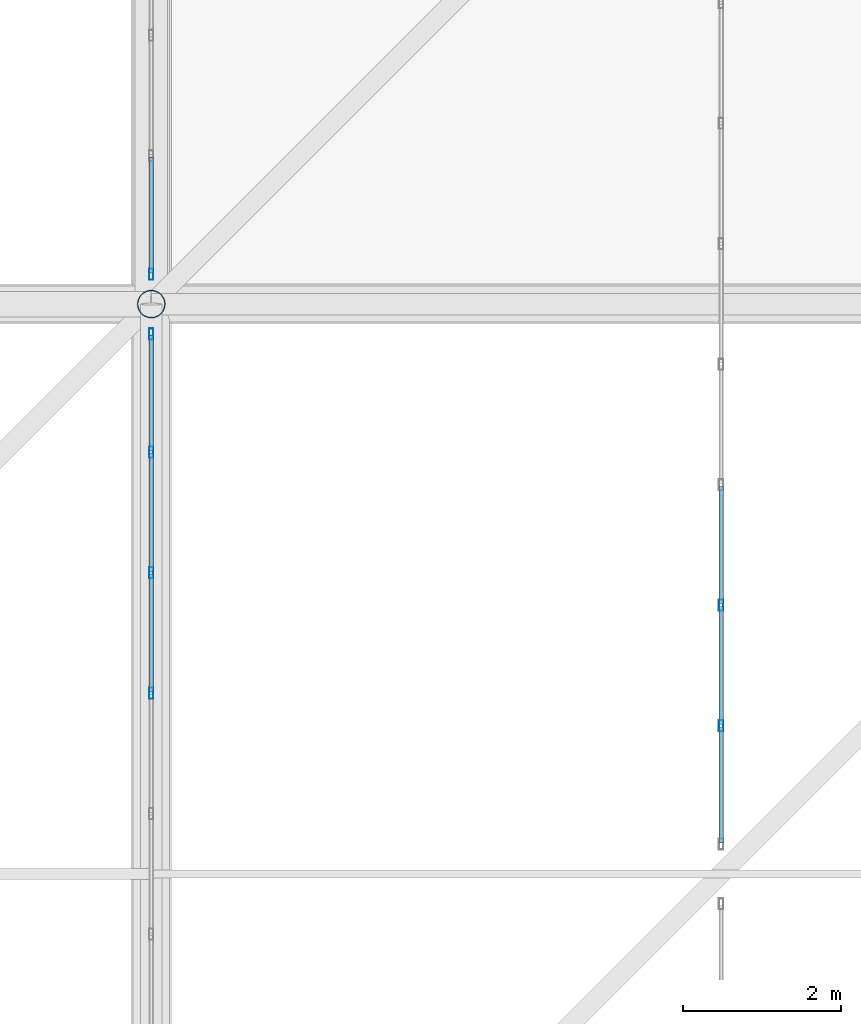
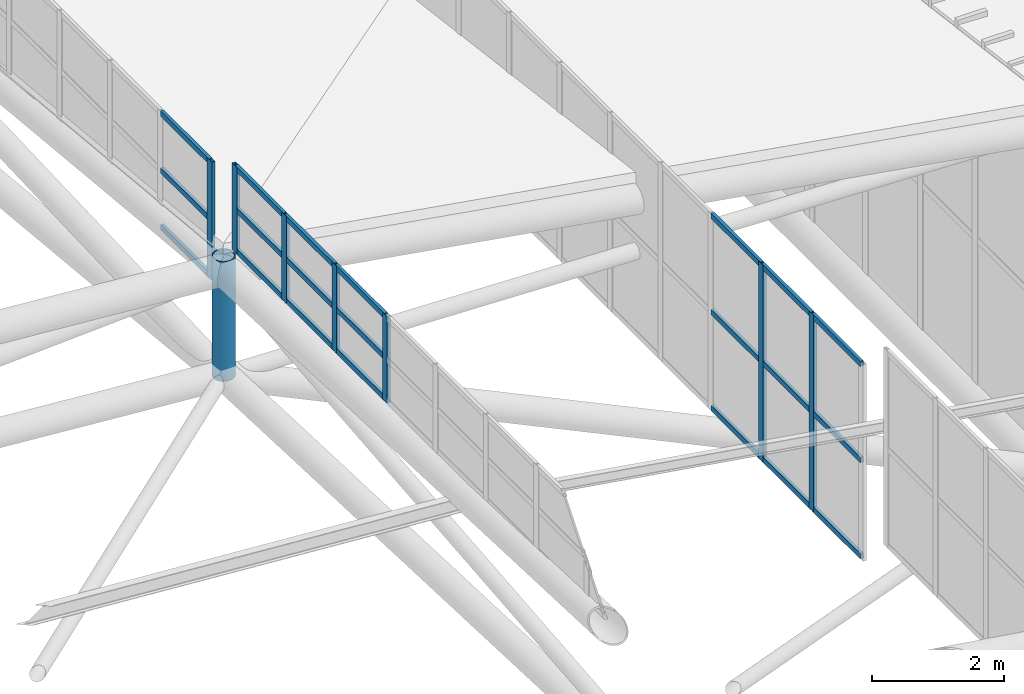
# One storey, part 286 of 397: 29 members, 3 elements without a shape of their own.
"""IFC4 building model written with IfcOpenShell, lengths in metres."""

from ifc_helpers import new_model, si_unit, direction, frame, origin, origin_2d, place, context, subcontext, project, spatial, hollow_rectangle, hollow_circle, extrude, material, material_profile, profile_set, type_object, element, aggregate, save


model = new_model("IFC4")

# Units and contexts
model_context = context("Model", 3, precision=1e-05, world=origin(), true_north=direction((0.0, 1.0)))
body_context = subcontext(model_context, "Body", "Model", "MODEL_VIEW")
ifc_project = project(units=[si_unit("LENGTHUNIT", "METRE"), si_unit("AREAUNIT", "SQUARE_METRE"), si_unit("VOLUMEUNIT", "CUBIC_METRE"), si_unit("PLANEANGLEUNIT", "RADIAN"), si_unit("MASSUNIT", "GRAM", prefix="KILO")], contexts=[model_context])

# Site, building, storey
site_placement = place(None, origin())
site = spatial("IfcSite", under=ifc_project, at=site_placement, CompositionType="ELEMENT")
building_placement = place(site_placement, origin())
building = spatial("IfcBuilding", under=site, at=building_placement, Name="Qandorah Velis Arena", CompositionType="ELEMENT")
storey_placement = place(building_placement, frame((0.0, 0.0, 27.5)))
storey = spatial("IfcBuildingStorey", under=building, at=storey_placement, Name="RF", CompositionType="ELEMENT", Elevation=27.5)

# Curtain wall, members
ifc_material_1 = material(Name="Solar-control low-E double glazing", Category="glass")
curtain_wall_type_1 = type_object("IfcCurtainWallType", Name="ARC-CW-SYS17", PredefinedType="USERDEFINED", material=ifc_material_1)
curtain_wall_1_placement = place(storey_placement, origin())
curtain_wall_1 = element("IfcCurtainWall", 1, at=curtain_wall_1_placement, inside=storey, type_object=curtain_wall_type_1, Name="Unitised curtain wall MON-2-5", ObjectType="UNITISED CURTAIN WALL", PredefinedType="USERDEFINED")
ifc_material_2 = material(Name="Champagne-bronze anodized aluminium 6063-T6", Category="aluminium")
ifc_material_profile_1 = material_profile(ifc_material_2, hollow_rectangle(XDim=0.054931640625, YDim=0.139892578125, WallThickness=0.0029296875, at=origin_2d()), Name="ALU MULLION 55x140")
ifc_profile_set_1 = profile_set([ifc_material_profile_1], Name="Champagne-bronze anodized aluminium 6063-T6")
member_type_1 = type_object("IfcMemberType", Name="ARC-CWM-140", PredefinedType="MULLION", material=ifc_profile_set_1)
member_1_placement = place(storey_placement, frame((108.0, 81.072265625, 5.13427734375), z_axis=(0.0, 0.0, 1.0), x_axis=(-1.0, 0.0, 0.0)))
member_1 = element("IfcMember", 2, at=member_1_placement, type_object=member_type_1, Name="CW17 mullion 2", PredefinedType="MULLION", context=body_context, shape_type="SweptSolid", body=[
    extrude(hollow_rectangle(XDim=0.054931640625, YDim=0.139892578125, WallThickness=0.0029296875, at=origin_2d()), origin(), (0.0, 0.0, 1.0), 3.630126953125),
])
member_2_placement = place(storey_placement, frame((108.0, 82.594482421875, 5.13427734375), z_axis=(0.0, 0.0, 1.0), x_axis=(-1.0, 0.0, 0.0)))
member_2 = element("IfcMember", 3, at=member_2_placement, type_object=member_type_1, Name="CW17 mullion 3", PredefinedType="MULLION", context=body_context, shape_type="SweptSolid", body=[
    extrude(hollow_rectangle(XDim=0.054931640625, YDim=0.139892578125, WallThickness=0.0029296875, at=origin_2d()), origin(), (0.0, 0.0, 1.0), 3.630126953125),
])

curtain_wall_type_2 = type_object("IfcCurtainWallType", Name="ARC-CW-SYS14", PredefinedType="USERDEFINED", material=ifc_material_1)
curtain_wall_2_placement = place(storey_placement, origin())
curtain_wall_2 = element("IfcCurtainWall", 4, at=curtain_wall_2_placement, inside=storey, type_object=curtain_wall_type_2, Name="Unitised curtain wall OCULUS-2-4", ObjectType="UNITISED CURTAIN WALL", PredefinedType="USERDEFINED")
member_3_placement = place(storey_placement, frame((100.800048828125, 81.4833984375, 9.41259765625), z_axis=(0.0, 0.0, 1.0), x_axis=(-1.0, 0.0, 0.0)))
member_3 = element("IfcMember", 5, at=member_3_placement, type_object=member_type_1, Name="CW14 mullion 7", PredefinedType="MULLION", context=body_context, shape_type="SweptSolid", body=[
    extrude(hollow_rectangle(XDim=0.054931640625, YDim=0.139892578125, WallThickness=0.0029296875, at=origin_2d()), origin(), (0.0, 0.0, 1.0), 1.602294921875),
])
member_4_placement = place(storey_placement, frame((100.800048828125, 83.005615234375, 9.41259765625), z_axis=(0.0, 0.0, 1.0), x_axis=(-1.0, 0.0, 0.0)))
member_4 = element("IfcMember", 6, at=member_4_placement, type_object=member_type_1, Name="CW14 mullion 8", PredefinedType="MULLION", context=body_context, shape_type="SweptSolid", body=[
    extrude(hollow_rectangle(XDim=0.054931640625, YDim=0.139892578125, WallThickness=0.0029296875, at=origin_2d()), origin(), (0.0, 0.0, 1.0), 1.602294921875),
])
member_5_placement = place(storey_placement, frame((100.800048828125, 84.52783203125, 9.41259765625), z_axis=(0.0, 0.0, 1.0), x_axis=(-1.0, 0.0, 0.0)))
member_5 = element("IfcMember", 7, at=member_5_placement, type_object=member_type_1, Name="CW14 mullion 9", PredefinedType="MULLION", context=body_context, shape_type="SweptSolid", body=[
    extrude(hollow_rectangle(XDim=0.054931640625, YDim=0.139892578125, WallThickness=0.0029296875, at=origin_2d()), origin(), (0.0, 0.0, 1.0), 1.602294921875),
])
member_6_placement = place(storey_placement, frame((100.800048828125, 86.0224609375, 9.41259765625), z_axis=(0.0, 0.0, 1.0), x_axis=(-1.0, 0.0, 0.0)))
member_6 = element("IfcMember", 8, at=member_6_placement, type_object=member_type_1, Name="CW14 mullion 10", PredefinedType="MULLION", context=body_context, shape_type="SweptSolid", body=[
    extrude(hollow_rectangle(XDim=0.054931640625, YDim=0.139892578125, WallThickness=0.0029296875, at=origin_2d()), origin(), (0.0, 0.0, 1.0), 1.602294921875),
])

# Curtain wall, member
curtain_wall_type_3 = type_object("IfcCurtainWallType", Name="ARC-CW-SYS15", PredefinedType="USERDEFINED", material=ifc_material_1)
curtain_wall_3_placement = place(storey_placement, origin())
curtain_wall_3 = element("IfcCurtainWall", 9, at=curtain_wall_3_placement, inside=storey, type_object=curtain_wall_type_3, Name="Unitised curtain wall OCULUS-2-5", ObjectType="UNITISED CURTAIN WALL", PredefinedType="USERDEFINED")
member_7_placement = place(storey_placement, frame((100.800048828125, 86.777587890625, 8.470947265625), z_axis=(0.0, 0.0, 1.0), x_axis=(-1.0, 0.0, 0.0)))
member_7 = element("IfcMember", 10, at=member_7_placement, type_object=member_type_1, Name="CW15 mullion 1", PredefinedType="MULLION", context=body_context, shape_type="SweptSolid", body=[
    extrude(hollow_rectangle(XDim=0.054931640625, YDim=0.139892578125, WallThickness=0.0029296875, at=origin_2d()), origin(), (0.0, 0.0, 1.0), 2.179931640625),
])

# Member
ifc_material_profile_2 = material_profile(ifc_material_2, hollow_rectangle(XDim=0.054931640625, YDim=0.10009765625, WallThickness=0.0029296875, at=origin_2d()), Name="ALU TRANSOM 55x100")
ifc_profile_set_2 = profile_set([ifc_material_profile_2], Name="Champagne-bronze anodized aluminium 6063-T6")
member_type_2 = type_object("IfcMemberType", Name="ARC-CWT-100", PredefinedType="USERDEFINED", material=ifc_profile_set_2)
member_8_placement = place(storey_placement, frame((108.0, 79.593017578125, 5.1767578125), z_axis=(0.0, 1.0, 0.0), x_axis=(-1.0, 0.0, 0.0)))
member_8 = element("IfcMember", 11, at=member_8_placement, type_object=member_type_2, Name="CW17 transom 1.1", ObjectType="TRANSOM", PredefinedType="USERDEFINED", context=body_context, shape_type="SweptSolid", body=[
    extrude(hollow_rectangle(XDim=0.054931640625, YDim=0.10009765625, WallThickness=0.0029296875, at=origin_2d()), origin(), (0.0, 0.0, 1.0), 1.463623046875),
])

member_9_placement = place(storey_placement, frame((108.0, 79.593017578125, 6.94921875), z_axis=(0.0, 1.0, 0.0), x_axis=(-1.0, 0.0, 0.0)))
member_9 = element("IfcMember", 12, at=member_9_placement, type_object=member_type_2, Name="CW17 transom 1.2", ObjectType="TRANSOM", PredefinedType="USERDEFINED", context=body_context, shape_type="SweptSolid", body=[
    extrude(hollow_rectangle(XDim=0.054931640625, YDim=0.10009765625, WallThickness=0.0029296875, at=origin_2d()), origin(), (0.0, 0.0, 1.0), 1.463623046875),
])

member_10_placement = place(storey_placement, frame((108.0, 79.593017578125, 8.7216796875), z_axis=(0.0, 1.0, 0.0), x_axis=(-1.0, 0.0, 0.0)))
member_10 = element("IfcMember", 13, at=member_10_placement, type_object=member_type_2, Name="CW17 transom 1.3", ObjectType="TRANSOM", PredefinedType="USERDEFINED", context=body_context, shape_type="SweptSolid", body=[
    extrude(hollow_rectangle(XDim=0.054931640625, YDim=0.10009765625, WallThickness=0.0029296875, at=origin_2d()), origin(), (0.0, 0.0, 1.0), 1.463623046875),
])

member_11_placement = place(storey_placement, frame((108.0, 81.087646484375, 5.1767578125), z_axis=(0.0, 1.0, 0.0), x_axis=(-1.0, 0.0, 0.0)))
member_11 = element("IfcMember", 14, at=member_11_placement, type_object=member_type_2, Name="CW17 transom 2.1", ObjectType="TRANSOM", PredefinedType="USERDEFINED", context=body_context, shape_type="SweptSolid", body=[
    extrude(hollow_rectangle(XDim=0.054931640625, YDim=0.10009765625, WallThickness=0.0029296875, at=origin_2d()), origin(), (0.0, 0.0, 1.0), 1.4912109375),
])

member_12_placement = place(storey_placement, frame((108.0, 81.087646484375, 6.94921875), z_axis=(0.0, 1.0, 0.0), x_axis=(-1.0, 0.0, 0.0)))
member_12 = element("IfcMember", 15, at=member_12_placement, type_object=member_type_2, Name="CW17 transom 2.2", ObjectType="TRANSOM", PredefinedType="USERDEFINED", context=body_context, shape_type="SweptSolid", body=[
    extrude(hollow_rectangle(XDim=0.054931640625, YDim=0.10009765625, WallThickness=0.0029296875, at=origin_2d()), origin(), (0.0, 0.0, 1.0), 1.4912109375),
])

member_13_placement = place(storey_placement, frame((108.0, 81.087646484375, 8.7216796875), z_axis=(0.0, 1.0, 0.0), x_axis=(-1.0, 0.0, 0.0)))
member_13 = element("IfcMember", 16, at=member_13_placement, type_object=member_type_2, Name="CW17 transom 2.3", ObjectType="TRANSOM", PredefinedType="USERDEFINED", context=body_context, shape_type="SweptSolid", body=[
    extrude(hollow_rectangle(XDim=0.054931640625, YDim=0.10009765625, WallThickness=0.0029296875, at=origin_2d()), origin(), (0.0, 0.0, 1.0), 1.4912109375),
])

member_14_placement = place(storey_placement, frame((108.0, 82.60986328125, 5.1767578125), z_axis=(0.0, 1.0, 0.0), x_axis=(-1.0, 0.0, 0.0)))
member_14 = element("IfcMember", 17, at=member_14_placement, type_object=member_type_2, Name="CW17 transom 3.1", ObjectType="TRANSOM", PredefinedType="USERDEFINED", context=body_context, shape_type="SweptSolid", body=[
    extrude(hollow_rectangle(XDim=0.054931640625, YDim=0.10009765625, WallThickness=0.0029296875, at=origin_2d()), origin(), (0.0, 0.0, 1.0), 1.491455078125),
])

member_15_placement = place(storey_placement, frame((108.0, 82.60986328125, 6.94921875), z_axis=(0.0, 1.0, 0.0), x_axis=(-1.0, 0.0, 0.0)))
member_15 = element("IfcMember", 18, at=member_15_placement, type_object=member_type_2, Name="CW17 transom 3.2", ObjectType="TRANSOM", PredefinedType="USERDEFINED", context=body_context, shape_type="SweptSolid", body=[
    extrude(hollow_rectangle(XDim=0.054931640625, YDim=0.10009765625, WallThickness=0.0029296875, at=origin_2d()), origin(), (0.0, 0.0, 1.0), 1.491455078125),
])

member_16_placement = place(storey_placement, frame((108.0, 82.60986328125, 8.7216796875), z_axis=(0.0, 1.0, 0.0), x_axis=(-1.0, 0.0, 0.0)))
member_16 = element("IfcMember", 19, at=member_16_placement, type_object=member_type_2, Name="CW17 transom 3.3", ObjectType="TRANSOM", PredefinedType="USERDEFINED", context=body_context, shape_type="SweptSolid", body=[
    extrude(hollow_rectangle(XDim=0.054931640625, YDim=0.10009765625, WallThickness=0.0029296875, at=origin_2d()), origin(), (0.0, 0.0, 1.0), 1.491455078125),
])

aggregate(curtain_wall_1, [member_1, member_2, member_8, member_9, member_10, member_11, member_12, member_13, member_14, member_15, member_16])

member_17_placement = place(storey_placement, frame((100.800048828125, 81.498779296875, 9.455078125), z_axis=(0.0, 1.0, 0.0), x_axis=(-1.0, 0.0, 0.0)))
member_17 = element("IfcMember", 20, at=member_17_placement, type_object=member_type_2, Name="CW14 transom 7.1", ObjectType="TRANSOM", PredefinedType="USERDEFINED", context=body_context, shape_type="SweptSolid", body=[
    extrude(hollow_rectangle(XDim=0.054931640625, YDim=0.10009765625, WallThickness=0.0029296875, at=origin_2d()), origin(), (0.0, 0.0, 1.0), 1.4912109375),
])

member_18_placement = place(storey_placement, frame((100.800048828125, 81.498779296875, 10.2138671875), z_axis=(0.0, 1.0, 0.0), x_axis=(-1.0, 0.0, 0.0)))
member_18 = element("IfcMember", 21, at=member_18_placement, type_object=member_type_2, Name="CW14 transom 7.2", ObjectType="TRANSOM", PredefinedType="USERDEFINED", context=body_context, shape_type="SweptSolid", body=[
    extrude(hollow_rectangle(XDim=0.054931640625, YDim=0.10009765625, WallThickness=0.0029296875, at=origin_2d()), origin(), (0.0, 0.0, 1.0), 1.4912109375),
])

member_19_placement = place(storey_placement, frame((100.800048828125, 81.498779296875, 10.972412109375), z_axis=(0.0, 1.0, 0.0), x_axis=(-1.0, 0.0, 0.0)))
member_19 = element("IfcMember", 22, at=member_19_placement, type_object=member_type_2, Name="CW14 transom 7.3", ObjectType="TRANSOM", PredefinedType="USERDEFINED", context=body_context, shape_type="SweptSolid", body=[
    extrude(hollow_rectangle(XDim=0.054931640625, YDim=0.10009765625, WallThickness=0.0029296875, at=origin_2d()), origin(), (0.0, 0.0, 1.0), 1.4912109375),
])

member_20_placement = place(storey_placement, frame((100.800048828125, 83.02099609375, 9.455078125), z_axis=(0.0, 1.0, 0.0), x_axis=(-1.0, 0.0, 0.0)))
member_20 = element("IfcMember", 23, at=member_20_placement, type_object=member_type_2, Name="CW14 transom 8.1", ObjectType="TRANSOM", PredefinedType="USERDEFINED", context=body_context, shape_type="SweptSolid", body=[
    extrude(hollow_rectangle(XDim=0.054931640625, YDim=0.10009765625, WallThickness=0.0029296875, at=origin_2d()), origin(), (0.0, 0.0, 1.0), 1.4912109375),
])

member_21_placement = place(storey_placement, frame((100.800048828125, 83.02099609375, 10.2138671875), z_axis=(0.0, 1.0, 0.0), x_axis=(-1.0, 0.0, 0.0)))
member_21 = element("IfcMember", 24, at=member_21_placement, type_object=member_type_2, Name="CW14 transom 8.2", ObjectType="TRANSOM", PredefinedType="USERDEFINED", context=body_context, shape_type="SweptSolid", body=[
    extrude(hollow_rectangle(XDim=0.054931640625, YDim=0.10009765625, WallThickness=0.0029296875, at=origin_2d()), origin(), (0.0, 0.0, 1.0), 1.4912109375),
])

member_22_placement = place(storey_placement, frame((100.800048828125, 83.02099609375, 10.972412109375), z_axis=(0.0, 1.0, 0.0), x_axis=(-1.0, 0.0, 0.0)))
member_22 = element("IfcMember", 25, at=member_22_placement, type_object=member_type_2, Name="CW14 transom 8.3", ObjectType="TRANSOM", PredefinedType="USERDEFINED", context=body_context, shape_type="SweptSolid", body=[
    extrude(hollow_rectangle(XDim=0.054931640625, YDim=0.10009765625, WallThickness=0.0029296875, at=origin_2d()), origin(), (0.0, 0.0, 1.0), 1.4912109375),
])

member_23_placement = place(storey_placement, frame((100.800048828125, 84.543212890625, 9.455078125), z_axis=(0.0, 1.0, 0.0), x_axis=(-1.0, 0.0, 0.0)))
member_23 = element("IfcMember", 26, at=member_23_placement, type_object=member_type_2, Name="CW14 transom 9.1", ObjectType="TRANSOM", PredefinedType="USERDEFINED", context=body_context, shape_type="SweptSolid", body=[
    extrude(hollow_rectangle(XDim=0.054931640625, YDim=0.10009765625, WallThickness=0.0029296875, at=origin_2d()), origin(), (0.0, 0.0, 1.0), 1.4638671875),
])

member_24_placement = place(storey_placement, frame((100.800048828125, 84.543212890625, 10.2138671875), z_axis=(0.0, 1.0, 0.0), x_axis=(-1.0, 0.0, 0.0)))
member_24 = element("IfcMember", 27, at=member_24_placement, type_object=member_type_2, Name="CW14 transom 9.2", ObjectType="TRANSOM", PredefinedType="USERDEFINED", context=body_context, shape_type="SweptSolid", body=[
    extrude(hollow_rectangle(XDim=0.054931640625, YDim=0.10009765625, WallThickness=0.0029296875, at=origin_2d()), origin(), (0.0, 0.0, 1.0), 1.4638671875),
])

member_25_placement = place(storey_placement, frame((100.800048828125, 84.543212890625, 10.972412109375), z_axis=(0.0, 1.0, 0.0), x_axis=(-1.0, 0.0, 0.0)))
member_25 = element("IfcMember", 28, at=member_25_placement, type_object=member_type_2, Name="CW14 transom 9.3", ObjectType="TRANSOM", PredefinedType="USERDEFINED", context=body_context, shape_type="SweptSolid", body=[
    extrude(hollow_rectangle(XDim=0.054931640625, YDim=0.10009765625, WallThickness=0.0029296875, at=origin_2d()), origin(), (0.0, 0.0, 1.0), 1.4638671875),
])

aggregate(curtain_wall_2, [member_3, member_4, member_5, member_6, member_17, member_18, member_19, member_20, member_21, member_22, member_23, member_24, member_25])

member_26_placement = place(storey_placement, frame((100.800048828125, 86.79296875, 8.513427734375), z_axis=(0.0, 1.0, 0.0), x_axis=(-1.0, 0.0, 0.0)))
member_26 = element("IfcMember", 29, at=member_26_placement, type_object=member_type_2, Name="CW15 transom 1.1", ObjectType="TRANSOM", PredefinedType="USERDEFINED", context=body_context, shape_type="SweptSolid", body=[
    extrude(hollow_rectangle(XDim=0.054931640625, YDim=0.10009765625, WallThickness=0.0029296875, at=origin_2d()), origin(), (0.0, 0.0, 1.0), 1.463623046875),
])

member_27_placement = place(storey_placement, frame((100.800048828125, 86.79296875, 9.56103515625), z_axis=(0.0, 1.0, 0.0), x_axis=(-1.0, 0.0, 0.0)))
member_27 = element("IfcMember", 30, at=member_27_placement, type_object=member_type_2, Name="CW15 transom 1.2", ObjectType="TRANSOM", PredefinedType="USERDEFINED", context=body_context, shape_type="SweptSolid", body=[
    extrude(hollow_rectangle(XDim=0.054931640625, YDim=0.10009765625, WallThickness=0.0029296875, at=origin_2d()), origin(), (0.0, 0.0, 1.0), 1.463623046875),
])

member_28_placement = place(storey_placement, frame((100.800048828125, 86.79296875, 10.6083984375), z_axis=(0.0, 1.0, 0.0), x_axis=(-1.0, 0.0, 0.0)))
member_28 = element("IfcMember", 31, at=member_28_placement, type_object=member_type_2, Name="CW15 transom 1.3", ObjectType="TRANSOM", PredefinedType="USERDEFINED", context=body_context, shape_type="SweptSolid", body=[
    extrude(hollow_rectangle(XDim=0.054931640625, YDim=0.10009765625, WallThickness=0.0029296875, at=origin_2d()), origin(), (0.0, 0.0, 1.0), 1.463623046875),
])

aggregate(curtain_wall_3, [member_7, member_26, member_27, member_28])

ifc_material_3 = material(Name="Steel S355", Category="steel")
ifc_material_profile_3 = material_profile(ifc_material_3, hollow_circle(Radius=0.177734375, WallThickness=0.012451171875, at=origin_2d()), Name="CHS 355.6x12.5")
ifc_profile_set_3 = profile_set([ifc_material_profile_3], Name="Steel S355")
member_type_3 = type_object("IfcMemberType", Name="STR-SFD-CHS355X12", PredefinedType="STRUT", material=ifc_profile_set_3)
member_29_placement = place(storey_placement, frame((100.800048828125, 86.39990234375, 6.90771484375), z_axis=(0.0, 0.0, 1.0), x_axis=(1.0, 0.0, 0.0)))
element("IfcMember", 32, at=member_29_placement, inside=storey, type_object=member_type_3, Name="Space frame roof vertical post 6.5", PredefinedType="STRUT", context=body_context, shape_type="SweptSolid", body=[
    extrude(hollow_circle(Radius=0.177734375, WallThickness=0.012451171875, at=origin_2d()), origin(), (0.0, 0.0, 1.0), 2.2099609375),
])

save(model, "model.ifc")
